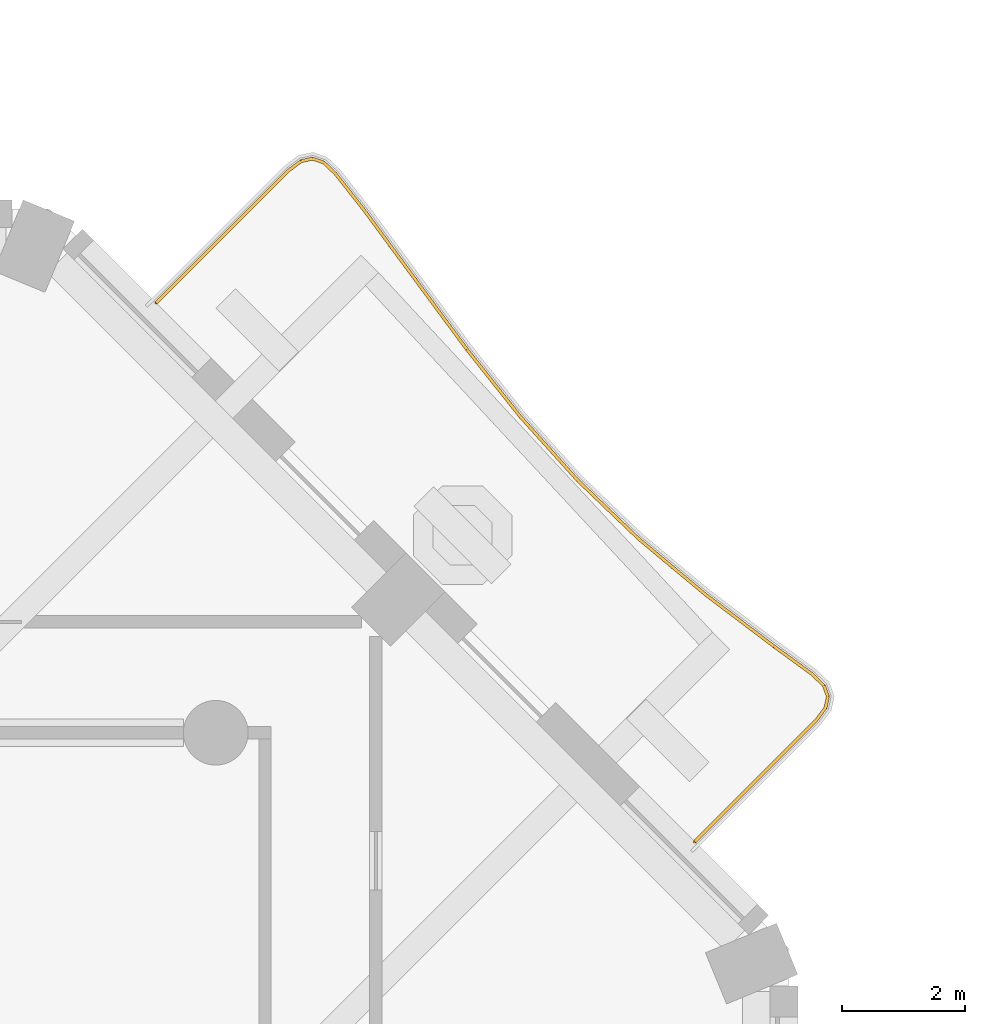
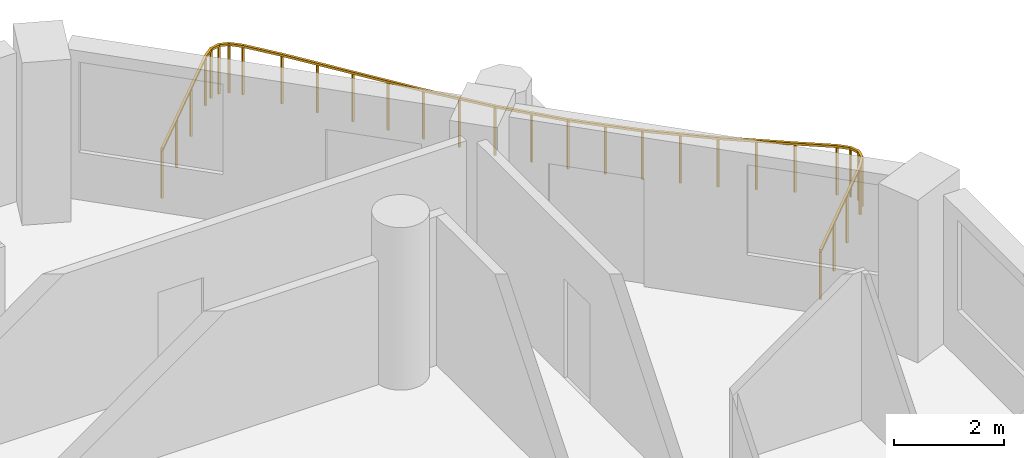
# One storey, part 19 of 20: 1 railing.
"""IFC4 building model written with IfcOpenShell, lengths in metres."""

from ifc_helpers import new_model, si_unit, direction, frame, origin, origin_2d, place, context, subcontext, project, spatial, rectangle, extrude, material, type_object, element, save


model = new_model("IFC4")

# Units and contexts
model_context = context("Model", 3, precision=1e-05, world=origin(), true_north=direction((0.0, 1.0)))
body_context = subcontext(model_context, "Body", "Model", "MODEL_VIEW")
ifc_project = project(units=[si_unit("LENGTHUNIT", "METRE"), si_unit("AREAUNIT", "SQUARE_METRE"), si_unit("VOLUMEUNIT", "CUBIC_METRE"), si_unit("PLANEANGLEUNIT", "RADIAN"), si_unit("MASSUNIT", "GRAM", prefix="KILO")], contexts=[model_context])

# Site, building, storey
site_placement = place(None, origin())
site = spatial("IfcSite", under=ifc_project, at=site_placement, CompositionType="ELEMENT")
building_placement = place(site_placement, origin())
building = spatial("IfcBuilding", under=site, at=building_placement, Name="Cypress Arch Tower", CompositionType="ELEMENT")
storey_placement = place(building_placement, frame((0.0, 0.0, 123.89990234375)))
storey = spatial("IfcBuildingStorey", under=building, at=storey_placement, Name="L26", CompositionType="ELEMENT", Elevation=123.89990234375)

# Railing
ifc_material = material(Name="Powder-coated steel posts and rods, 100 mm clear between rods", Category="steel")
railing_type = type_object("IfcRailingType", Name="Balcony guard GR1100", PredefinedType="GUARDRAIL", material=ifc_material)
railing_placement = place(storey_placement, frame((14.33251953125, 24.479736328125, 0.0)))
element("IfcRailing", 1, at=railing_placement, inside=storey, type_object=railing_type, Name="Balcony guard L26-A07", PredefinedType="GUARDRAIL", context=body_context, shape_type="SweptSolid", body=[
    extrude(rectangle(XDim=0.050048828125, YDim=0.050048828125, at=origin_2d()), frame((0.0, 0.0, 1.0751953125), z_axis=(0.707066550948, 0.707147009136, 0.0), x_axis=(-0.707147009136, 0.707066550948, 0.0)), (0.0, 0.0, 1.0), 3.034423828125),
    extrude(rectangle(XDim=0.050048828125, YDim=0.050048828125, at=origin_2d()), frame((2.1455078125, 2.145751953125, 1.0751953125), z_axis=(0.800905772358, 0.59879040056, 0.0), x_axis=(-0.59879040056, 0.800905772358, 0.0)), (0.0, 0.0, 1.0), 0.258544921875),
    extrude(rectangle(XDim=0.050048828125, YDim=0.050048828125, at=origin_2d()), frame((2.3525390625, 2.300537109375, 1.0751953125), z_axis=(0.976841821103, 0.213962745691, 0.0), x_axis=(-0.213962745691, 0.976841821103, 0.0)), (0.0, 0.0, 1.0), 0.191650390625),
    extrude(rectangle(XDim=0.050048828125, YDim=0.050048828125, at=origin_2d()), frame((2.539794921875, 2.341552734375, 1.0751953125), z_axis=(0.945061659714, -0.326892121866, 0.0), x_axis=(0.326892121866, 0.945061659714, 0.0)), (0.0, 0.0, 1.0), 0.19189453125),
    extrude(rectangle(XDim=0.050048828125, YDim=0.050048828125, at=origin_2d()), frame((2.72119140625, 2.27880859375, 1.0751953125), z_axis=(0.724834250675, -0.688923296926, 0.0), x_axis=(0.688923296926, 0.724834250675, 0.0)), (0.0, 0.0, 1.0), 0.25830078125),
    extrude(rectangle(XDim=0.050048828125, YDim=0.050048828125, at=origin_2d()), frame((2.908447265625, 2.100830078125, 1.0751953125), z_axis=(0.619177301871, -0.785251213846, 0.0), x_axis=(0.785251213846, 0.619177301871, 0.0)), (0.0, 0.0, 1.0), 0.762939453125),
    extrude(rectangle(XDim=0.050048828125, YDim=0.050048828125, at=origin_2d()), frame((3.380859375, 1.501708984375, 1.0751953125), z_axis=(0.59314552609, -0.805095264475, 0.0), x_axis=(0.805095264475, 0.59314552609, 0.0)), (0.0, 0.0, 1.0), 1.400634765625),
    extrude(rectangle(XDim=0.050048828125, YDim=0.050048828125, at=origin_2d()), frame((4.211669921875, 0.3740234375, 1.0751953125), z_axis=(0.594077695527, -0.804407665104, 0.0), x_axis=(0.804407665104, 0.594077695527, 0.0)), (0.0, 0.0, 1.0), 1.402099609375),
    extrude(rectangle(XDim=0.050048828125, YDim=0.050048828125, at=origin_2d()), frame((5.044677734375, -0.75390625, 1.0751953125), z_axis=(0.622049168557, -0.782978180984, 0.0), x_axis=(0.782978180984, 0.622049168557, 0.0)), (0.0, 0.0, 1.0), 1.397216796875),
    extrude(rectangle(XDim=0.050048828125, YDim=0.050048828125, at=origin_2d()), frame((5.913818359375, -1.847900390625, 1.0751953125), z_axis=(0.669100485491, -0.743171945323, 0.0), x_axis=(0.743171945323, 0.669100485491, 0.0)), (0.0, 0.0, 1.0), 1.390869140625),
    extrude(rectangle(XDim=0.050048828125, YDim=0.050048828125, at=origin_2d()), frame((6.844482421875, -2.881591796875, 1.0751953125), z_axis=(0.722229564323, -0.691653422184, 0.0), x_axis=(0.691653422184, 0.722229564323, 0.0)), (0.0, 0.0, 1.0), 1.389404296875),
    extrude(rectangle(XDim=0.050048828125, YDim=0.050048828125, at=origin_2d()), frame((7.847900390625, -3.842529296875, 1.0751953125), z_axis=(0.768206926138, -0.640201623424, 0.0), x_axis=(0.640201623424, 0.768206926138, 0.0)), (0.0, 0.0, 1.0), 1.394287109375),
    extrude(rectangle(XDim=0.050048828125, YDim=0.050048828125, at=origin_2d()), frame((8.9189453125, -4.735107421875, 1.0751953125), z_axis=(0.797798385383, -0.602924320524, 0.0), x_axis=(0.602924320524, 0.797798385383, 0.0)), (0.0, 0.0, 1.0), 1.400634765625),
    extrude(rectangle(XDim=0.050048828125, YDim=0.050048828125, at=origin_2d()), frame((10.036376953125, -5.57958984375, 1.0751953125), z_axis=(0.807414418501, -0.589984708952, 0.0), x_axis=(0.589984708952, 0.807414418501, 0.0)), (0.0, 0.0, 1.0), 0.76806640625),
    extrude(rectangle(XDim=0.050048828125, YDim=0.050048828125, at=origin_2d()), frame((10.656494140625, -6.03271484375, 1.0751953125), z_axis=(0.714628549608, -0.69950413586, 0.0), x_axis=(0.69950413586, 0.714628549608, 0.0)), (0.0, 0.0, 1.0), 0.25830078125),
    extrude(rectangle(XDim=0.050048828125, YDim=0.050048828125, at=origin_2d()), frame((10.841064453125, -6.21337890625, 1.0751953125), z_axis=(0.352971520146, -0.93563406627, 0.0), x_axis=(0.93563406627, 0.352971520146, 0.0)), (0.0, 0.0, 1.0), 0.188232421875),
    extrude(rectangle(XDim=0.050048828125, YDim=0.050048828125, at=origin_2d()), frame((10.907470703125, -6.389404296875, 1.0751953125), z_axis=(-0.205094513628, -0.978742172628, 0.0), x_axis=(0.978742172628, -0.205094513628, 0.0)), (0.0, 0.0, 1.0), 0.18798828125),
    extrude(rectangle(XDim=0.050048828125, YDim=0.050048828125, at=origin_2d()), frame((10.868896484375, -6.573486328125, 1.0751953125), z_axis=(-0.598637301733, -0.801020212588, 0.0), x_axis=(0.801020212588, -0.598637301733, 0.0)), (0.0, 0.0, 1.0), 0.258056640625),
    extrude(rectangle(XDim=0.050048828125, YDim=0.050048828125, at=origin_2d()), frame((10.71435546875, -6.7802734375, 1.0751953125), z_axis=(-0.707106781187, -0.707106781187, 0.0), x_axis=(0.707106781187, -0.707106781187, 0.0)), (0.0, 0.0, 1.0), 2.78173828125),
    extrude(rectangle(XDim=0.0400390625, YDim=0.0400390625, at=origin_2d()), origin(), (0.0, 0.0, 1.0), 1.050048828125),
    extrude(rectangle(XDim=0.0400390625, YDim=0.0400390625, at=origin_2d()), frame((0.715087890625, 0.71533203125, 0.0)), (0.0, 0.0, 1.0), 1.050048828125),
    extrude(rectangle(XDim=0.0400390625, YDim=0.0400390625, at=origin_2d()), frame((1.430419921875, 1.430419921875, 0.0)), (0.0, 0.0, 1.0), 1.050048828125),
    extrude(rectangle(XDim=0.0400390625, YDim=0.0400390625, at=origin_2d()), frame((2.1455078125, 2.145751953125, 0.0)), (0.0, 0.0, 1.0), 1.050048828125),
    extrude(rectangle(XDim=0.0400390625, YDim=0.0400390625, at=origin_2d()), frame((2.3525390625, 2.300537109375, 0.0)), (0.0, 0.0, 1.0), 1.050048828125),
    extrude(rectangle(XDim=0.0400390625, YDim=0.0400390625, at=origin_2d()), frame((2.539794921875, 2.341552734375, 0.0)), (0.0, 0.0, 1.0), 1.050048828125),
    extrude(rectangle(XDim=0.0400390625, YDim=0.0400390625, at=origin_2d()), frame((2.72119140625, 2.27880859375, 0.0)), (0.0, 0.0, 1.0), 1.050048828125),
    extrude(rectangle(XDim=0.0400390625, YDim=0.0400390625, at=origin_2d()), frame((2.908447265625, 2.100830078125, 0.0)), (0.0, 0.0, 1.0), 1.050048828125),
    extrude(rectangle(XDim=0.0400390625, YDim=0.0400390625, at=origin_2d()), frame((3.380859375, 1.501708984375, 0.0)), (0.0, 0.0, 1.0), 1.050048828125),
    extrude(rectangle(XDim=0.0400390625, YDim=0.0400390625, at=origin_2d()), frame((3.79638671875, 0.93798828125, 0.0)), (0.0, 0.0, 1.0), 1.050048828125),
    extrude(rectangle(XDim=0.0400390625, YDim=0.0400390625, at=origin_2d()), frame((4.211669921875, 0.3740234375, 0.0)), (0.0, 0.0, 1.0), 1.050048828125),
    extrude(rectangle(XDim=0.0400390625, YDim=0.0400390625, at=origin_2d()), frame((4.628173828125, -0.18994140625, 0.0)), (0.0, 0.0, 1.0), 1.050048828125),
    extrude(rectangle(XDim=0.0400390625, YDim=0.0400390625, at=origin_2d()), frame((5.044677734375, -0.75390625, 0.0)), (0.0, 0.0, 1.0), 1.050048828125),
    extrude(rectangle(XDim=0.0400390625, YDim=0.0400390625, at=origin_2d()), frame((5.479248046875, -1.30078125, 0.0)), (0.0, 0.0, 1.0), 1.050048828125),
    extrude(rectangle(XDim=0.0400390625, YDim=0.0400390625, at=origin_2d()), frame((5.913818359375, -1.847900390625, 0.0)), (0.0, 0.0, 1.0), 1.050048828125),
    extrude(rectangle(XDim=0.0400390625, YDim=0.0400390625, at=origin_2d()), frame((6.379150390625, -2.36474609375, 0.0)), (0.0, 0.0, 1.0), 1.050048828125),
    extrude(rectangle(XDim=0.0400390625, YDim=0.0400390625, at=origin_2d()), frame((6.844482421875, -2.881591796875, 0.0)), (0.0, 0.0, 1.0), 1.050048828125),
    extrude(rectangle(XDim=0.0400390625, YDim=0.0400390625, at=origin_2d()), frame((7.34619140625, -3.362060546875, 0.0)), (0.0, 0.0, 1.0), 1.050048828125),
    extrude(rectangle(XDim=0.0400390625, YDim=0.0400390625, at=origin_2d()), frame((7.847900390625, -3.842529296875, 0.0)), (0.0, 0.0, 1.0), 1.050048828125),
    extrude(rectangle(XDim=0.0400390625, YDim=0.0400390625, at=origin_2d()), frame((8.38330078125, -4.288818359375, 0.0)), (0.0, 0.0, 1.0), 1.050048828125),
    extrude(rectangle(XDim=0.0400390625, YDim=0.0400390625, at=origin_2d()), frame((8.9189453125, -4.735107421875, 0.0)), (0.0, 0.0, 1.0), 1.050048828125),
    extrude(rectangle(XDim=0.0400390625, YDim=0.0400390625, at=origin_2d()), frame((9.4775390625, -5.1572265625, 0.0)), (0.0, 0.0, 1.0), 1.050048828125),
    extrude(rectangle(XDim=0.0400390625, YDim=0.0400390625, at=origin_2d()), frame((10.036376953125, -5.57958984375, 0.0)), (0.0, 0.0, 1.0), 1.050048828125),
    extrude(rectangle(XDim=0.0400390625, YDim=0.0400390625, at=origin_2d()), frame((10.656494140625, -6.03271484375, 0.0)), (0.0, 0.0, 1.0), 1.050048828125),
    extrude(rectangle(XDim=0.0400390625, YDim=0.0400390625, at=origin_2d()), frame((10.841064453125, -6.21337890625, 0.0)), (0.0, 0.0, 1.0), 1.050048828125),
    extrude(rectangle(XDim=0.0400390625, YDim=0.0400390625, at=origin_2d()), frame((10.907470703125, -6.389404296875, 0.0)), (0.0, 0.0, 1.0), 1.050048828125),
    extrude(rectangle(XDim=0.0400390625, YDim=0.0400390625, at=origin_2d()), frame((10.868896484375, -6.573486328125, 0.0)), (0.0, 0.0, 1.0), 1.050048828125),
    extrude(rectangle(XDim=0.0400390625, YDim=0.0400390625, at=origin_2d()), frame((10.71435546875, -6.7802734375, 0.0)), (0.0, 0.0, 1.0), 1.050048828125),
    extrude(rectangle(XDim=0.0400390625, YDim=0.0400390625, at=origin_2d()), frame((10.05859375, -7.43603515625, 0.0)), (0.0, 0.0, 1.0), 1.050048828125),
    extrude(rectangle(XDim=0.0400390625, YDim=0.0400390625, at=origin_2d()), frame((9.403076171875, -8.091552734375, 0.0)), (0.0, 0.0, 1.0), 1.050048828125),
    extrude(rectangle(XDim=0.0400390625, YDim=0.0400390625, at=origin_2d()), frame((8.747314453125, -8.747314453125, 0.0)), (0.0, 0.0, 1.0), 1.050048828125),
])

save(model, "model.ifc")
